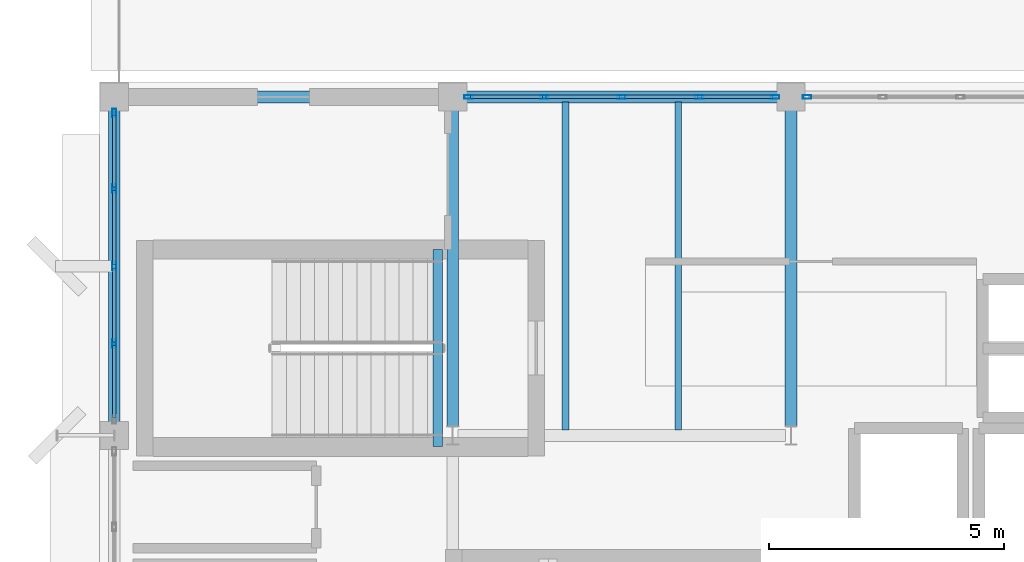
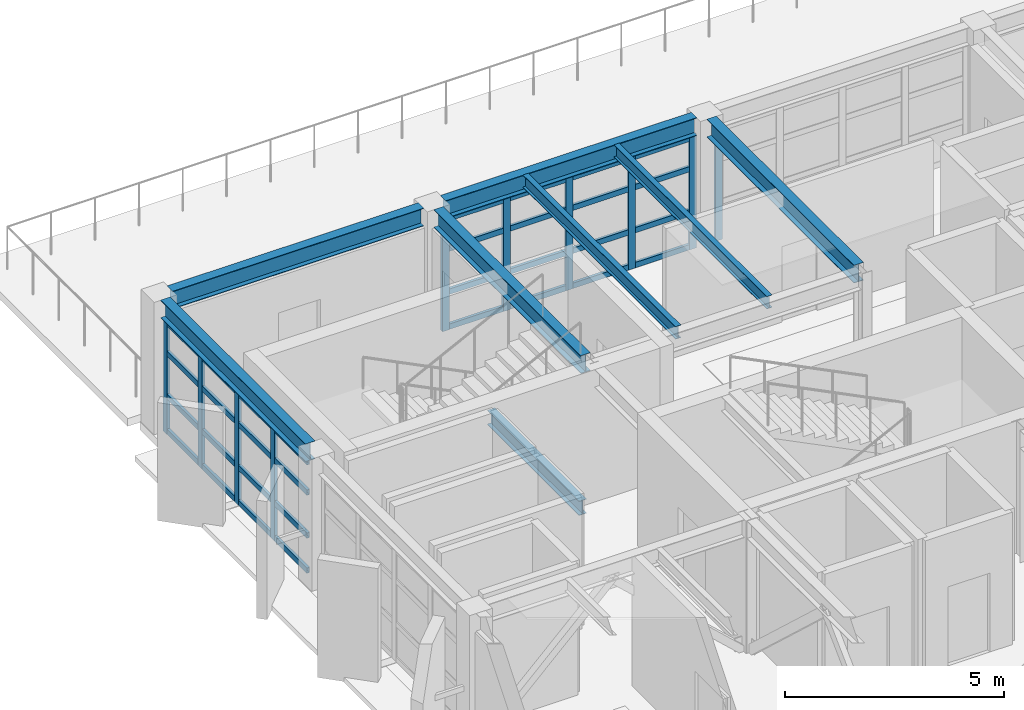
# One storey, part 7 of 16: 42 members, 8 beams, 3 elements without a shape of their own.
"""IFC4 building model written with IfcOpenShell, lengths in metres."""

from ifc_helpers import new_model, si_unit, direction, frame, origin, origin_2d, place, context, subcontext, project, spatial, hollow_rectangle, i_section, extrude, material, layer, layer_set, material_profile, profile_set, type_object, element, aggregate, save


model = new_model("IFC4")

# Units and contexts
model_context = context("Model", 3, precision=1e-05, world=origin(), true_north=direction((0.0, 1.0)))
body_context = subcontext(model_context, "Body", "Model", "MODEL_VIEW")
ifc_project = project(units=[si_unit("LENGTHUNIT", "METRE"), si_unit("AREAUNIT", "SQUARE_METRE"), si_unit("VOLUMEUNIT", "CUBIC_METRE"), si_unit("PLANEANGLEUNIT", "RADIAN"), si_unit("MASSUNIT", "GRAM", prefix="KILO")], contexts=[model_context])

# Site, building, storey
site_placement = place(None, origin())
site = spatial("IfcSite", under=ifc_project, at=site_placement, CompositionType="ELEMENT")
building_placement = place(site_placement, origin())
building = spatial("IfcBuilding", under=site, at=building_placement, Name="Kandorven Conservatory and Botanical Research Centre", CompositionType="ELEMENT")
storey_placement = place(building_placement, frame((0.0, 0.0, 44.39990234375)))
storey = spatial("IfcBuildingStorey", under=building, at=storey_placement, Name="L11", CompositionType="ELEMENT", Elevation=44.39990234375)

# Beams
ifc_material_1 = material(Name="Steel S355 (IS 2062 E350)", Category="steel")
ifc_material_profile_1 = material_profile(ifc_material_1, i_section(OverallWidth=0.25, OverallDepth=0.5, WebThickness=0.010009765625, FlangeThickness=0.0146484375, at=origin_2d()))
ifc_profile_set_1 = profile_set([ifc_material_profile_1], Name="Steel S355 (IS 2062 E350)")
beam_type_1 = type_object("IfcBeamType", Name="Beam_FG-02", PredefinedType="USERDEFINED", material=ifc_profile_set_1)
beam_1_placement = place(storey_placement, frame((6.2900390625, 27.60009765625, 3.440185546875), z_axis=(1.0, 0.0, 0.0), x_axis=(0.0, 1.0, 0.0)))
element("IfcBeam", 1, at=beam_1_placement, inside=storey, type_object=beam_type_1, Name="Primary girder FG-02 TWR L11", ObjectType="GIRDER", PredefinedType="USERDEFINED", context=body_context, shape_type="SweptSolid", body=[
    extrude(i_section(OverallWidth=0.25, OverallDepth=0.5, WebThickness=0.010009765625, FlangeThickness=0.0146484375, at=origin_2d()), origin(), (0.0, 0.0, 1.0), 6.619873046875),
])
for number, where, z_axis, x_axis, name in (
    (2, (13.489990234375, 27.60009765625, 3.440185546875), (1.0, 0.0, 0.0), (0.0, 1.0, 0.0), "Primary girder FG-02 TWR L11"),
    (3, (6.0, 20.68994140625, 3.440185546875), (0.0, 1.0, 0.0), (-1.0, 0.0, 0.0), "Primary girder FG-02 TWR L11"),
):
    element("IfcBeam", number, at=place(storey_placement, frame(where, z_axis=z_axis, x_axis=x_axis)), inside=storey, type_object=beam_type_1, Name=name, ObjectType="GIRDER", PredefinedType="USERDEFINED", context=body_context, shape_type="SweptSolid", body=[
        extrude(i_section(OverallWidth=0.25, OverallDepth=0.5, WebThickness=0.010009765625, FlangeThickness=0.0146484375, at=origin_2d()), origin(), (0.0, 0.0, 1.0), 6.6201171875),
    ])
for number, where, z_axis, x_axis, name in (
    (4, (13.199951171875, 20.590087890625, 3.440185546875), (0.0, 1.0, 0.0), (-1.0, 0.0, 0.0), "Primary girder FG-02 TWR L11"),
    (5, (20.39990234375, 20.590087890625, 3.440185546875), (0.0, 1.0, 0.0), (-1.0, 0.0, 0.0), "Primary girder FG-02 TWR L11"),
):
    element("IfcBeam", number, at=place(storey_placement, frame(where, z_axis=z_axis, x_axis=x_axis)), inside=storey, type_object=beam_type_1, Name=name, ObjectType="GIRDER", PredefinedType="USERDEFINED", context=body_context, shape_type="SweptSolid", body=[
        extrude(i_section(OverallWidth=0.25, OverallDepth=0.5, WebThickness=0.010009765625, FlangeThickness=0.0146484375, at=origin_2d()), origin(), (0.0, 0.0, 1.0), 6.719970703125),
    ])
ifc_material_2 = material(Name="Steel S355 (IS 2062 E350)", Category="steel")
ifc_material_profile_2 = material_profile(ifc_material_2, i_section(OverallWidth=0.199951171875, OverallDepth=0.39990234375, WebThickness=0.008544921875, FlangeThickness=0.012939453125, at=origin_2d()))
ifc_profile_set_2 = profile_set([ifc_material_profile_2], Name="Steel S355 (IS 2062 E350)")
beam_type_2 = type_object("IfcBeamType", Name="Beam_FG-03", PredefinedType="USERDEFINED", material=ifc_profile_set_2)
beam_2_placement = place(storey_placement, frame((12.8798828125, 24.35009765625, -0.199951171875), z_axis=(0.0, -1.0, 0.0), x_axis=(1.0, 0.0, 0.0)))
element("IfcBeam", 6, at=beam_2_placement, inside=storey, type_object=beam_type_2, Name="Stair well bottom trimmer girder FG-03 ST-T2 L11", ObjectType="GIRDER", PredefinedType="USERDEFINED", context=body_context, shape_type="SweptSolid", body=[
    extrude(i_section(OverallWidth=0.199951171875, OverallDepth=0.39990234375, WebThickness=0.008544921875, FlangeThickness=0.012939453125, at=origin_2d()), origin(), (0.0, 0.0, 1.0), 4.190185546875),
])
ifc_material_3 = material(Name="Steel S355 (IS 2062 E350)", Category="steel")
ifc_material_profile_3 = material_profile(ifc_material_3, i_section(OverallWidth=0.139892578125, OverallDepth=0.35009765625, WebThickness=0.008056640625, FlangeThickness=0.01416015625, at=origin_2d()))
ifc_profile_set_3 = profile_set([ifc_material_profile_3], Name="Steel S355 (IS 2062 E350)")
beam_type_3 = type_object("IfcBeamType", Name="Beam_SB-06", PredefinedType="BEAM", material=ifc_profile_set_3)
for number, where, z_axis, x_axis, name in (
    (7, (15.60009765625, 20.510009765625, 3.51513671875), (0.0, 1.0, 0.0), (-1.0, 0.0, 0.0), "Composite secondary beam SB-06 TWR L11"),
    (8, (18.0, 20.510009765625, 3.51513671875), (0.0, 1.0, 0.0), (-1.0, 0.0, 0.0), "Composite secondary beam SB-06 TWR L11"),
):
    element("IfcBeam", number, at=place(storey_placement, frame(where, z_axis=z_axis, x_axis=x_axis)), inside=storey, type_object=beam_type_3, Name=name, PredefinedType="BEAM", context=body_context, shape_type="SweptSolid", body=[
        extrude(i_section(OverallWidth=0.139892578125, OverallDepth=0.35009765625, WebThickness=0.008056640625, FlangeThickness=0.01416015625, at=origin_2d()), origin(), (0.0, 0.0, 1.0), 6.97998046875),
    ])

# Curtain wall, members
ifc_material_4 = material(Name="Bronze anodised thermally broken aluminium", Category="aluminium")
ifc_layer = layer(ifc_material_4, 0.179931640625)
ifc_layer_set = layer_set([ifc_layer], Name="Bronze anodised thermally broken aluminium")
curtain_wall_type = type_object("IfcCurtainWallType", Name="CW_Unitised", PredefinedType="USERDEFINED", material=ifc_layer_set)
curtain_wall_1_placement = place(storey_placement, origin())
curtain_wall_1 = element("IfcCurtainWall", 9, at=curtain_wall_1_placement, inside=storey, type_object=curtain_wall_type, Name="Tower laboratory curtain wall CW-TWR-N-L11-2", ObjectType="UNITISED GLAZING", PredefinedType="USERDEFINED")
ifc_material_5 = material(Name="Bronze anodised thermally broken aluminium", Category="aluminium")
ifc_material_profile_4 = material_profile(ifc_material_5, hollow_rectangle(XDim=0.080078125, YDim=0.179931640625, WallThickness=0.006103515625, at=origin_2d()))
ifc_profile_set_4 = profile_set([ifc_material_profile_4], Name="Bronze anodised thermally broken aluminium")
member_type_1 = type_object("IfcMemberType", Name="CW_Mullion", PredefinedType="MULLION", material=ifc_profile_set_4)
member_1_placement = place(storey_placement, frame((13.5400390625, 27.60009765625, 0.0), z_axis=(0.0, 0.0, 1.0), x_axis=(0.0, 1.0, 0.0)))
member_1 = element("IfcMember", 10, at=member_1_placement, type_object=member_type_1, Name="CW-01 mullion 1", PredefinedType="MULLION", context=body_context, shape_type="SweptSolid", body=[
    extrude(hollow_rectangle(XDim=0.080078125, YDim=0.179931640625, WallThickness=0.006103515625, at=origin_2d()), origin(), (0.0, 0.0, 1.0), 3.170166015625),
])
member_2_placement = place(storey_placement, frame((15.14990234375, 27.60009765625, 0.0), z_axis=(0.0, 0.0, 1.0), x_axis=(0.0, 1.0, 0.0)))
member_2 = element("IfcMember", 11, at=member_2_placement, type_object=member_type_1, Name="CW-01 mullion 2", PredefinedType="MULLION", context=body_context, shape_type="SweptSolid", body=[
    extrude(hollow_rectangle(XDim=0.080078125, YDim=0.179931640625, WallThickness=0.006103515625, at=origin_2d()), origin(), (0.0, 0.0, 1.0), 3.170166015625),
])
member_3_placement = place(storey_placement, frame((16.800048828125, 27.60009765625, 0.0), z_axis=(0.0, 0.0, 1.0), x_axis=(0.0, 1.0, 0.0)))
member_3 = element("IfcMember", 12, at=member_3_placement, type_object=member_type_1, Name="CW-01 mullion 3", PredefinedType="MULLION", context=body_context, shape_type="SweptSolid", body=[
    extrude(hollow_rectangle(XDim=0.080078125, YDim=0.179931640625, WallThickness=0.006103515625, at=origin_2d()), origin(), (0.0, 0.0, 1.0), 3.170166015625),
])
member_4_placement = place(storey_placement, frame((18.449951171875, 27.60009765625, 0.0), z_axis=(0.0, 0.0, 1.0), x_axis=(0.0, 1.0, 0.0)))
member_4 = element("IfcMember", 13, at=member_4_placement, type_object=member_type_1, Name="CW-01 mullion 4", PredefinedType="MULLION", context=body_context, shape_type="SweptSolid", body=[
    extrude(hollow_rectangle(XDim=0.080078125, YDim=0.179931640625, WallThickness=0.006103515625, at=origin_2d()), origin(), (0.0, 0.0, 1.0), 3.170166015625),
])
member_5_placement = place(storey_placement, frame((20.06005859375, 27.60009765625, 0.0), z_axis=(0.0, 0.0, 1.0), x_axis=(0.0, 1.0, 0.0)))
member_5 = element("IfcMember", 14, at=member_5_placement, type_object=member_type_1, Name="CW-01 mullion 5", PredefinedType="MULLION", context=body_context, shape_type="SweptSolid", body=[
    extrude(hollow_rectangle(XDim=0.080078125, YDim=0.179931640625, WallThickness=0.006103515625, at=origin_2d()), origin(), (0.0, 0.0, 1.0), 3.170166015625),
])

# Curtain wall, member
curtain_wall_2_placement = place(storey_placement, origin())
curtain_wall_2 = element("IfcCurtainWall", 15, at=curtain_wall_2_placement, inside=storey, type_object=curtain_wall_type, Name="Tower laboratory curtain wall CW-TWR-N-L11-3", ObjectType="UNITISED GLAZING", PredefinedType="USERDEFINED")
member_6_placement = place(storey_placement, frame((20.739990234375, 27.60009765625, 0.0), z_axis=(0.0, 0.0, 1.0), x_axis=(0.0, 1.0, 0.0)))
member_6 = element("IfcMember", 16, at=member_6_placement, type_object=member_type_1, Name="CW-01 mullion 1", PredefinedType="MULLION", context=body_context, shape_type="SweptSolid", body=[
    extrude(hollow_rectangle(XDim=0.080078125, YDim=0.179931640625, WallThickness=0.006103515625, at=origin_2d()), origin(), (0.0, 0.0, 1.0), 3.170166015625),
])
aggregate(curtain_wall_2, [member_6])

# Curtain wall, members
curtain_wall_3_placement = place(storey_placement, origin())
curtain_wall_3 = element("IfcCurtainWall", 17, at=curtain_wall_3_placement, inside=storey, type_object=curtain_wall_type, Name="Tower laboratory curtain wall CW-TWR-W-L11-3", ObjectType="UNITISED GLAZING", PredefinedType="USERDEFINED")
member_7_placement = place(storey_placement, frame((6.0, 22.35009765625, 0.0), z_axis=(0.0, 0.0, 1.0), x_axis=(-1.0, 0.0, 0.0)))
member_7 = element("IfcMember", 18, at=member_7_placement, type_object=member_type_1, Name="CW-01 mullion 2", PredefinedType="MULLION", context=body_context, shape_type="SweptSolid", body=[
    extrude(hollow_rectangle(XDim=0.080078125, YDim=0.179931640625, WallThickness=0.006103515625, at=origin_2d()), origin(), (0.0, 0.0, 1.0), 3.170166015625),
])
member_8_placement = place(storey_placement, frame((6.0, 24.0, 0.0), z_axis=(0.0, 0.0, 1.0), x_axis=(-1.0, 0.0, 0.0)))
member_8 = element("IfcMember", 19, at=member_8_placement, type_object=member_type_1, Name="CW-01 mullion 3", PredefinedType="MULLION", context=body_context, shape_type="SweptSolid", body=[
    extrude(hollow_rectangle(XDim=0.080078125, YDim=0.179931640625, WallThickness=0.006103515625, at=origin_2d()), origin(), (0.0, 0.0, 1.0), 3.170166015625),
])
member_9_placement = place(storey_placement, frame((6.0, 25.64990234375, 0.0), z_axis=(0.0, 0.0, 1.0), x_axis=(-1.0, 0.0, 0.0)))
member_9 = element("IfcMember", 20, at=member_9_placement, type_object=member_type_1, Name="CW-01 mullion 4", PredefinedType="MULLION", context=body_context, shape_type="SweptSolid", body=[
    extrude(hollow_rectangle(XDim=0.080078125, YDim=0.179931640625, WallThickness=0.006103515625, at=origin_2d()), origin(), (0.0, 0.0, 1.0), 3.170166015625),
])
member_10_placement = place(storey_placement, frame((6.0, 27.260009765625, 0.0), z_axis=(0.0, 0.0, 1.0), x_axis=(-1.0, 0.0, 0.0)))
member_10 = element("IfcMember", 21, at=member_10_placement, type_object=member_type_1, Name="CW-01 mullion 5", PredefinedType="MULLION", context=body_context, shape_type="SweptSolid", body=[
    extrude(hollow_rectangle(XDim=0.080078125, YDim=0.179931640625, WallThickness=0.006103515625, at=origin_2d()), origin(), (0.0, 0.0, 1.0), 3.170166015625),
])

# Member
ifc_material_6 = material(Name="Bronze anodised thermally broken aluminium", Category="aluminium")
ifc_material_profile_5 = material_profile(ifc_material_6, hollow_rectangle(XDim=0.074951171875, YDim=0.14990234375, WallThickness=0.006103515625, at=origin_2d()))
ifc_profile_set_5 = profile_set([ifc_material_profile_5], Name="Bronze anodised thermally broken aluminium")
member_type_2 = type_object("IfcMemberType", Name="CW_Transom", PredefinedType="USERDEFINED", material=ifc_profile_set_5)
member_11_placement = place(storey_placement, frame((13.580078125, 27.60009765625, 0.0751953125), z_axis=(1.0, 0.0, 0.0), x_axis=(0.0, 1.0, 0.0)))
member_11 = element("IfcMember", 22, at=member_11_placement, type_object=member_type_2, Name="CW-01 transom 1.1", ObjectType="TRANSOM", PredefinedType="USERDEFINED", context=body_context, shape_type="SweptSolid", body=[
    extrude(hollow_rectangle(XDim=0.074951171875, YDim=0.14990234375, WallThickness=0.006103515625, at=origin_2d()), origin(), (0.0, 0.0, 1.0), 1.530029296875),
])

member_12_placement = place(storey_placement, frame((13.580078125, 27.60009765625, 1.050048828125), z_axis=(1.0, 0.0, 0.0), x_axis=(0.0, 1.0, 0.0)))
member_12 = element("IfcMember", 23, at=member_12_placement, type_object=member_type_2, Name="CW-01 transom 1.2", ObjectType="TRANSOM", PredefinedType="USERDEFINED", context=body_context, shape_type="SweptSolid", body=[
    extrude(hollow_rectangle(XDim=0.074951171875, YDim=0.14990234375, WallThickness=0.006103515625, at=origin_2d()), origin(), (0.0, 0.0, 1.0), 1.530029296875),
])

member_13_placement = place(storey_placement, frame((13.580078125, 27.60009765625, 2.25), z_axis=(1.0, 0.0, 0.0), x_axis=(0.0, 1.0, 0.0)))
member_13 = element("IfcMember", 24, at=member_13_placement, type_object=member_type_2, Name="CW-01 transom 1.3", ObjectType="TRANSOM", PredefinedType="USERDEFINED", context=body_context, shape_type="SweptSolid", body=[
    extrude(hollow_rectangle(XDim=0.074951171875, YDim=0.14990234375, WallThickness=0.006103515625, at=origin_2d()), origin(), (0.0, 0.0, 1.0), 1.530029296875),
])

member_14_placement = place(storey_placement, frame((13.580078125, 27.60009765625, 3.09521484375), z_axis=(1.0, 0.0, 0.0), x_axis=(0.0, 1.0, 0.0)))
member_14 = element("IfcMember", 25, at=member_14_placement, type_object=member_type_2, Name="CW-01 transom 1.4", ObjectType="TRANSOM", PredefinedType="USERDEFINED", context=body_context, shape_type="SweptSolid", body=[
    extrude(hollow_rectangle(XDim=0.074951171875, YDim=0.14990234375, WallThickness=0.006103515625, at=origin_2d()), origin(), (0.0, 0.0, 1.0), 1.530029296875),
])

member_15_placement = place(storey_placement, frame((15.18994140625, 27.60009765625, 0.0751953125), z_axis=(1.0, 0.0, 0.0), x_axis=(0.0, 1.0, 0.0)))
member_15 = element("IfcMember", 26, at=member_15_placement, type_object=member_type_2, Name="CW-01 transom 2.1", ObjectType="TRANSOM", PredefinedType="USERDEFINED", context=body_context, shape_type="SweptSolid", body=[
    extrude(hollow_rectangle(XDim=0.074951171875, YDim=0.14990234375, WallThickness=0.006103515625, at=origin_2d()), origin(), (0.0, 0.0, 1.0), 1.570068359375),
])

member_16_placement = place(storey_placement, frame((15.18994140625, 27.60009765625, 1.050048828125), z_axis=(1.0, 0.0, 0.0), x_axis=(0.0, 1.0, 0.0)))
member_16 = element("IfcMember", 27, at=member_16_placement, type_object=member_type_2, Name="CW-01 transom 2.2", ObjectType="TRANSOM", PredefinedType="USERDEFINED", context=body_context, shape_type="SweptSolid", body=[
    extrude(hollow_rectangle(XDim=0.074951171875, YDim=0.14990234375, WallThickness=0.006103515625, at=origin_2d()), origin(), (0.0, 0.0, 1.0), 1.570068359375),
])

member_17_placement = place(storey_placement, frame((15.18994140625, 27.60009765625, 2.25), z_axis=(1.0, 0.0, 0.0), x_axis=(0.0, 1.0, 0.0)))
member_17 = element("IfcMember", 28, at=member_17_placement, type_object=member_type_2, Name="CW-01 transom 2.3", ObjectType="TRANSOM", PredefinedType="USERDEFINED", context=body_context, shape_type="SweptSolid", body=[
    extrude(hollow_rectangle(XDim=0.074951171875, YDim=0.14990234375, WallThickness=0.006103515625, at=origin_2d()), origin(), (0.0, 0.0, 1.0), 1.570068359375),
])

member_18_placement = place(storey_placement, frame((15.18994140625, 27.60009765625, 3.09521484375), z_axis=(1.0, 0.0, 0.0), x_axis=(0.0, 1.0, 0.0)))
member_18 = element("IfcMember", 29, at=member_18_placement, type_object=member_type_2, Name="CW-01 transom 2.4", ObjectType="TRANSOM", PredefinedType="USERDEFINED", context=body_context, shape_type="SweptSolid", body=[
    extrude(hollow_rectangle(XDim=0.074951171875, YDim=0.14990234375, WallThickness=0.006103515625, at=origin_2d()), origin(), (0.0, 0.0, 1.0), 1.570068359375),
])

member_19_placement = place(storey_placement, frame((16.840087890625, 27.60009765625, 0.0751953125), z_axis=(1.0, 0.0, 0.0), x_axis=(0.0, 1.0, 0.0)))
member_19 = element("IfcMember", 30, at=member_19_placement, type_object=member_type_2, Name="CW-01 transom 3.1", ObjectType="TRANSOM", PredefinedType="USERDEFINED", context=body_context, shape_type="SweptSolid", body=[
    extrude(hollow_rectangle(XDim=0.074951171875, YDim=0.14990234375, WallThickness=0.006103515625, at=origin_2d()), origin(), (0.0, 0.0, 1.0), 1.56982421875),
])

member_20_placement = place(storey_placement, frame((16.840087890625, 27.60009765625, 1.050048828125), z_axis=(1.0, 0.0, 0.0), x_axis=(0.0, 1.0, 0.0)))
member_20 = element("IfcMember", 31, at=member_20_placement, type_object=member_type_2, Name="CW-01 transom 3.2", ObjectType="TRANSOM", PredefinedType="USERDEFINED", context=body_context, shape_type="SweptSolid", body=[
    extrude(hollow_rectangle(XDim=0.074951171875, YDim=0.14990234375, WallThickness=0.006103515625, at=origin_2d()), origin(), (0.0, 0.0, 1.0), 1.56982421875),
])

member_21_placement = place(storey_placement, frame((16.840087890625, 27.60009765625, 2.25), z_axis=(1.0, 0.0, 0.0), x_axis=(0.0, 1.0, 0.0)))
member_21 = element("IfcMember", 32, at=member_21_placement, type_object=member_type_2, Name="CW-01 transom 3.3", ObjectType="TRANSOM", PredefinedType="USERDEFINED", context=body_context, shape_type="SweptSolid", body=[
    extrude(hollow_rectangle(XDim=0.074951171875, YDim=0.14990234375, WallThickness=0.006103515625, at=origin_2d()), origin(), (0.0, 0.0, 1.0), 1.56982421875),
])

member_22_placement = place(storey_placement, frame((16.840087890625, 27.60009765625, 3.09521484375), z_axis=(1.0, 0.0, 0.0), x_axis=(0.0, 1.0, 0.0)))
member_22 = element("IfcMember", 33, at=member_22_placement, type_object=member_type_2, Name="CW-01 transom 3.4", ObjectType="TRANSOM", PredefinedType="USERDEFINED", context=body_context, shape_type="SweptSolid", body=[
    extrude(hollow_rectangle(XDim=0.074951171875, YDim=0.14990234375, WallThickness=0.006103515625, at=origin_2d()), origin(), (0.0, 0.0, 1.0), 1.56982421875),
])

member_23_placement = place(storey_placement, frame((18.489990234375, 27.60009765625, 0.0751953125), z_axis=(1.0, 0.0, 0.0), x_axis=(0.0, 1.0, 0.0)))
member_23 = element("IfcMember", 34, at=member_23_placement, type_object=member_type_2, Name="CW-01 transom 4.1", ObjectType="TRANSOM", PredefinedType="USERDEFINED", context=body_context, shape_type="SweptSolid", body=[
    extrude(hollow_rectangle(XDim=0.074951171875, YDim=0.14990234375, WallThickness=0.006103515625, at=origin_2d()), origin(), (0.0, 0.0, 1.0), 1.530029296875),
])

member_24_placement = place(storey_placement, frame((18.489990234375, 27.60009765625, 1.050048828125), z_axis=(1.0, 0.0, 0.0), x_axis=(0.0, 1.0, 0.0)))
member_24 = element("IfcMember", 35, at=member_24_placement, type_object=member_type_2, Name="CW-01 transom 4.2", ObjectType="TRANSOM", PredefinedType="USERDEFINED", context=body_context, shape_type="SweptSolid", body=[
    extrude(hollow_rectangle(XDim=0.074951171875, YDim=0.14990234375, WallThickness=0.006103515625, at=origin_2d()), origin(), (0.0, 0.0, 1.0), 1.530029296875),
])

member_25_placement = place(storey_placement, frame((18.489990234375, 27.60009765625, 2.25), z_axis=(1.0, 0.0, 0.0), x_axis=(0.0, 1.0, 0.0)))
member_25 = element("IfcMember", 36, at=member_25_placement, type_object=member_type_2, Name="CW-01 transom 4.3", ObjectType="TRANSOM", PredefinedType="USERDEFINED", context=body_context, shape_type="SweptSolid", body=[
    extrude(hollow_rectangle(XDim=0.074951171875, YDim=0.14990234375, WallThickness=0.006103515625, at=origin_2d()), origin(), (0.0, 0.0, 1.0), 1.530029296875),
])

member_26_placement = place(storey_placement, frame((18.489990234375, 27.60009765625, 3.09521484375), z_axis=(1.0, 0.0, 0.0), x_axis=(0.0, 1.0, 0.0)))
member_26 = element("IfcMember", 37, at=member_26_placement, type_object=member_type_2, Name="CW-01 transom 4.4", ObjectType="TRANSOM", PredefinedType="USERDEFINED", context=body_context, shape_type="SweptSolid", body=[
    extrude(hollow_rectangle(XDim=0.074951171875, YDim=0.14990234375, WallThickness=0.006103515625, at=origin_2d()), origin(), (0.0, 0.0, 1.0), 1.530029296875),
])

aggregate(curtain_wall_1, [member_1, member_2, member_3, member_4, member_5, member_11, member_12, member_13, member_14, member_15, member_16, member_17, member_18, member_19, member_20, member_21, member_22, member_23, member_24, member_25, member_26])

member_27_placement = place(storey_placement, frame((6.0, 20.780029296875, 0.0751953125), z_axis=(0.0, 1.0, 0.0), x_axis=(-1.0, 0.0, 0.0)))
member_27 = element("IfcMember", 38, at=member_27_placement, type_object=member_type_2, Name="CW-01 transom 1.1", ObjectType="TRANSOM", PredefinedType="USERDEFINED", context=body_context, shape_type="SweptSolid", body=[
    extrude(hollow_rectangle(XDim=0.074951171875, YDim=0.14990234375, WallThickness=0.006103515625, at=origin_2d()), origin(), (0.0, 0.0, 1.0), 1.530029296875),
])

member_28_placement = place(storey_placement, frame((6.0, 20.780029296875, 1.050048828125), z_axis=(0.0, 1.0, 0.0), x_axis=(-1.0, 0.0, 0.0)))
member_28 = element("IfcMember", 39, at=member_28_placement, type_object=member_type_2, Name="CW-01 transom 1.2", ObjectType="TRANSOM", PredefinedType="USERDEFINED", context=body_context, shape_type="SweptSolid", body=[
    extrude(hollow_rectangle(XDim=0.074951171875, YDim=0.14990234375, WallThickness=0.006103515625, at=origin_2d()), origin(), (0.0, 0.0, 1.0), 1.530029296875),
])

member_29_placement = place(storey_placement, frame((6.0, 20.780029296875, 2.25), z_axis=(0.0, 1.0, 0.0), x_axis=(-1.0, 0.0, 0.0)))
member_29 = element("IfcMember", 40, at=member_29_placement, type_object=member_type_2, Name="CW-01 transom 1.3", ObjectType="TRANSOM", PredefinedType="USERDEFINED", context=body_context, shape_type="SweptSolid", body=[
    extrude(hollow_rectangle(XDim=0.074951171875, YDim=0.14990234375, WallThickness=0.006103515625, at=origin_2d()), origin(), (0.0, 0.0, 1.0), 1.530029296875),
])

member_30_placement = place(storey_placement, frame((6.0, 20.780029296875, 3.09521484375), z_axis=(0.0, 1.0, 0.0), x_axis=(-1.0, 0.0, 0.0)))
member_30 = element("IfcMember", 41, at=member_30_placement, type_object=member_type_2, Name="CW-01 transom 1.4", ObjectType="TRANSOM", PredefinedType="USERDEFINED", context=body_context, shape_type="SweptSolid", body=[
    extrude(hollow_rectangle(XDim=0.074951171875, YDim=0.14990234375, WallThickness=0.006103515625, at=origin_2d()), origin(), (0.0, 0.0, 1.0), 1.530029296875),
])

member_31_placement = place(storey_placement, frame((6.0, 22.389892578125, 0.0751953125), z_axis=(0.0, 1.0, 0.0), x_axis=(-1.0, 0.0, 0.0)))
member_31 = element("IfcMember", 42, at=member_31_placement, type_object=member_type_2, Name="CW-01 transom 2.1", ObjectType="TRANSOM", PredefinedType="USERDEFINED", context=body_context, shape_type="SweptSolid", body=[
    extrude(hollow_rectangle(XDim=0.074951171875, YDim=0.14990234375, WallThickness=0.006103515625, at=origin_2d()), origin(), (0.0, 0.0, 1.0), 1.570068359375),
])

member_32_placement = place(storey_placement, frame((6.0, 22.389892578125, 1.050048828125), z_axis=(0.0, 1.0, 0.0), x_axis=(-1.0, 0.0, 0.0)))
member_32 = element("IfcMember", 43, at=member_32_placement, type_object=member_type_2, Name="CW-01 transom 2.2", ObjectType="TRANSOM", PredefinedType="USERDEFINED", context=body_context, shape_type="SweptSolid", body=[
    extrude(hollow_rectangle(XDim=0.074951171875, YDim=0.14990234375, WallThickness=0.006103515625, at=origin_2d()), origin(), (0.0, 0.0, 1.0), 1.570068359375),
])

member_33_placement = place(storey_placement, frame((6.0, 22.389892578125, 2.25), z_axis=(0.0, 1.0, 0.0), x_axis=(-1.0, 0.0, 0.0)))
member_33 = element("IfcMember", 44, at=member_33_placement, type_object=member_type_2, Name="CW-01 transom 2.3", ObjectType="TRANSOM", PredefinedType="USERDEFINED", context=body_context, shape_type="SweptSolid", body=[
    extrude(hollow_rectangle(XDim=0.074951171875, YDim=0.14990234375, WallThickness=0.006103515625, at=origin_2d()), origin(), (0.0, 0.0, 1.0), 1.570068359375),
])

member_34_placement = place(storey_placement, frame((6.0, 22.389892578125, 3.09521484375), z_axis=(0.0, 1.0, 0.0), x_axis=(-1.0, 0.0, 0.0)))
member_34 = element("IfcMember", 45, at=member_34_placement, type_object=member_type_2, Name="CW-01 transom 2.4", ObjectType="TRANSOM", PredefinedType="USERDEFINED", context=body_context, shape_type="SweptSolid", body=[
    extrude(hollow_rectangle(XDim=0.074951171875, YDim=0.14990234375, WallThickness=0.006103515625, at=origin_2d()), origin(), (0.0, 0.0, 1.0), 1.570068359375),
])

member_35_placement = place(storey_placement, frame((6.0, 24.0400390625, 0.0751953125), z_axis=(0.0, 1.0, 0.0), x_axis=(-1.0, 0.0, 0.0)))
member_35 = element("IfcMember", 46, at=member_35_placement, type_object=member_type_2, Name="CW-01 transom 3.1", ObjectType="TRANSOM", PredefinedType="USERDEFINED", context=body_context, shape_type="SweptSolid", body=[
    extrude(hollow_rectangle(XDim=0.074951171875, YDim=0.14990234375, WallThickness=0.006103515625, at=origin_2d()), origin(), (0.0, 0.0, 1.0), 1.570068359375),
])

member_36_placement = place(storey_placement, frame((6.0, 24.0400390625, 1.050048828125), z_axis=(0.0, 1.0, 0.0), x_axis=(-1.0, 0.0, 0.0)))
member_36 = element("IfcMember", 47, at=member_36_placement, type_object=member_type_2, Name="CW-01 transom 3.2", ObjectType="TRANSOM", PredefinedType="USERDEFINED", context=body_context, shape_type="SweptSolid", body=[
    extrude(hollow_rectangle(XDim=0.074951171875, YDim=0.14990234375, WallThickness=0.006103515625, at=origin_2d()), origin(), (0.0, 0.0, 1.0), 1.570068359375),
])

member_37_placement = place(storey_placement, frame((6.0, 24.0400390625, 2.25), z_axis=(0.0, 1.0, 0.0), x_axis=(-1.0, 0.0, 0.0)))
member_37 = element("IfcMember", 48, at=member_37_placement, type_object=member_type_2, Name="CW-01 transom 3.3", ObjectType="TRANSOM", PredefinedType="USERDEFINED", context=body_context, shape_type="SweptSolid", body=[
    extrude(hollow_rectangle(XDim=0.074951171875, YDim=0.14990234375, WallThickness=0.006103515625, at=origin_2d()), origin(), (0.0, 0.0, 1.0), 1.570068359375),
])

member_38_placement = place(storey_placement, frame((6.0, 24.0400390625, 3.09521484375), z_axis=(0.0, 1.0, 0.0), x_axis=(-1.0, 0.0, 0.0)))
member_38 = element("IfcMember", 49, at=member_38_placement, type_object=member_type_2, Name="CW-01 transom 3.4", ObjectType="TRANSOM", PredefinedType="USERDEFINED", context=body_context, shape_type="SweptSolid", body=[
    extrude(hollow_rectangle(XDim=0.074951171875, YDim=0.14990234375, WallThickness=0.006103515625, at=origin_2d()), origin(), (0.0, 0.0, 1.0), 1.570068359375),
])

member_39_placement = place(storey_placement, frame((6.0, 25.68994140625, 0.0751953125), z_axis=(0.0, 1.0, 0.0), x_axis=(-1.0, 0.0, 0.0)))
member_39 = element("IfcMember", 50, at=member_39_placement, type_object=member_type_2, Name="CW-01 transom 4.1", ObjectType="TRANSOM", PredefinedType="USERDEFINED", context=body_context, shape_type="SweptSolid", body=[
    extrude(hollow_rectangle(XDim=0.074951171875, YDim=0.14990234375, WallThickness=0.006103515625, at=origin_2d()), origin(), (0.0, 0.0, 1.0), 1.530029296875),
])

member_40_placement = place(storey_placement, frame((6.0, 25.68994140625, 1.050048828125), z_axis=(0.0, 1.0, 0.0), x_axis=(-1.0, 0.0, 0.0)))
member_40 = element("IfcMember", 51, at=member_40_placement, type_object=member_type_2, Name="CW-01 transom 4.2", ObjectType="TRANSOM", PredefinedType="USERDEFINED", context=body_context, shape_type="SweptSolid", body=[
    extrude(hollow_rectangle(XDim=0.074951171875, YDim=0.14990234375, WallThickness=0.006103515625, at=origin_2d()), origin(), (0.0, 0.0, 1.0), 1.530029296875),
])

member_41_placement = place(storey_placement, frame((6.0, 25.68994140625, 2.25), z_axis=(0.0, 1.0, 0.0), x_axis=(-1.0, 0.0, 0.0)))
member_41 = element("IfcMember", 52, at=member_41_placement, type_object=member_type_2, Name="CW-01 transom 4.3", ObjectType="TRANSOM", PredefinedType="USERDEFINED", context=body_context, shape_type="SweptSolid", body=[
    extrude(hollow_rectangle(XDim=0.074951171875, YDim=0.14990234375, WallThickness=0.006103515625, at=origin_2d()), origin(), (0.0, 0.0, 1.0), 1.530029296875),
])

member_42_placement = place(storey_placement, frame((6.0, 25.68994140625, 3.09521484375), z_axis=(0.0, 1.0, 0.0), x_axis=(-1.0, 0.0, 0.0)))
member_42 = element("IfcMember", 53, at=member_42_placement, type_object=member_type_2, Name="CW-01 transom 4.4", ObjectType="TRANSOM", PredefinedType="USERDEFINED", context=body_context, shape_type="SweptSolid", body=[
    extrude(hollow_rectangle(XDim=0.074951171875, YDim=0.14990234375, WallThickness=0.006103515625, at=origin_2d()), origin(), (0.0, 0.0, 1.0), 1.530029296875),
])

aggregate(curtain_wall_3, [member_7, member_8, member_9, member_10, member_27, member_28, member_29, member_30, member_31, member_32, member_33, member_34, member_35, member_36, member_37, member_38, member_39, member_40, member_41, member_42])

save(model, "model.ifc")
